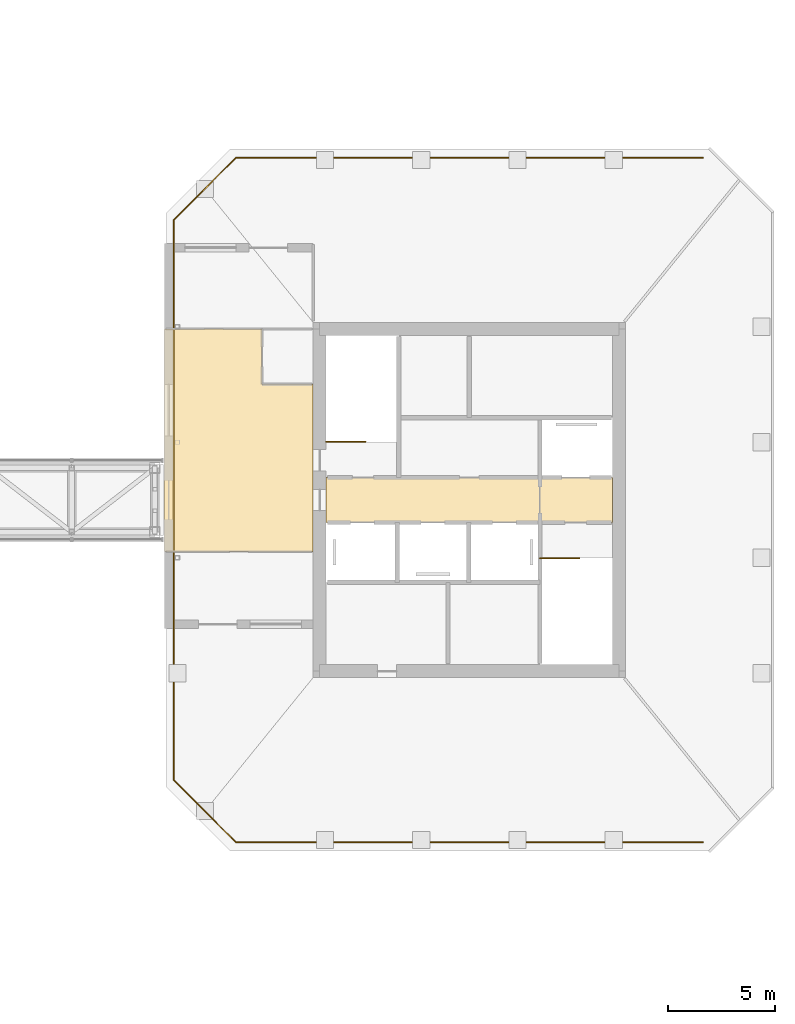
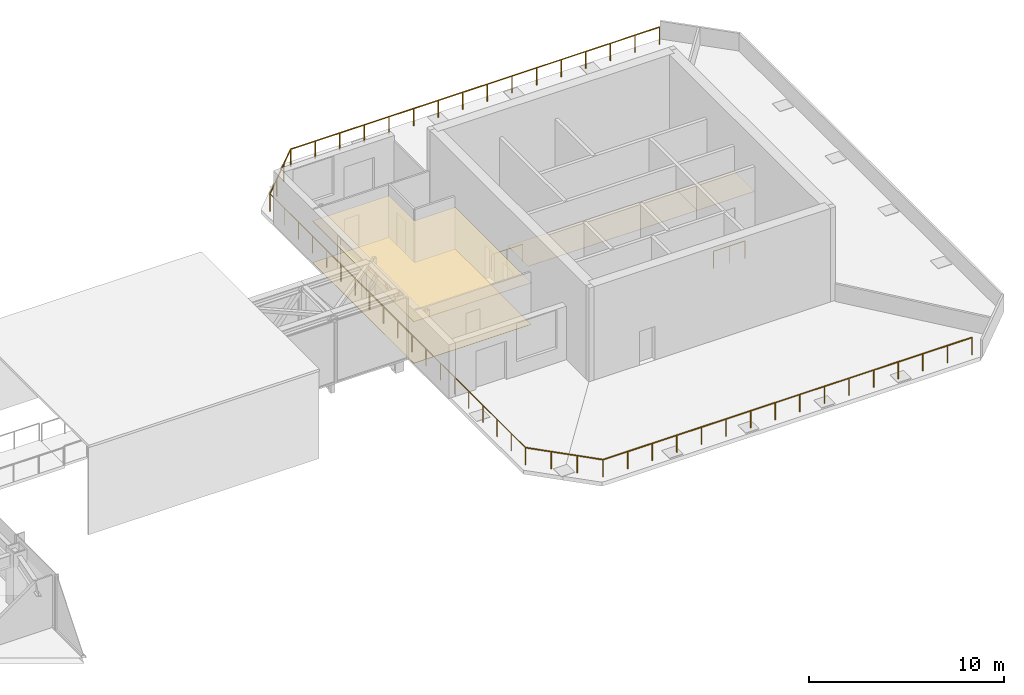
# One storey, part 23 of 23: 7 railings, 4 coverings.
"""IFC4 building model written with IfcOpenShell, lengths in metres."""

from ifc_helpers import new_model, si_unit, direction, frame, origin, origin_2d, place, context, subcontext, project, spatial, polyline, circle, outline, extrude, material, layer, layer_set, constituent, constituent_set, type_object, element, save


model = new_model("IFC4")

# Units and contexts
model_context = context("Model", 3, precision=1e-05, world=origin(), true_north=direction((0.0, 1.0)))
body_context = subcontext(model_context, "Body", "Model", "MODEL_VIEW")
ifc_project = project(units=[si_unit("LENGTHUNIT", "METRE"), si_unit("AREAUNIT", "SQUARE_METRE"), si_unit("VOLUMEUNIT", "CUBIC_METRE"), si_unit("PLANEANGLEUNIT", "RADIAN"), si_unit("MASSUNIT", "GRAM", prefix="KILO")], contexts=[model_context])

# Site, building, storey
site_placement = place(None, origin())
site = spatial("IfcSite", under=ifc_project, at=site_placement, CompositionType="ELEMENT")
building_placement = place(site_placement, origin())
building = spatial("IfcBuilding", under=site, at=building_placement, Name="Iwan Alto Co-Living Towers", CompositionType="ELEMENT")
storey_placement = place(building_placement, frame((0.0, 0.0, 129.5)))
storey = spatial("IfcBuildingStorey", under=building, at=storey_placement, Name="L35", CompositionType="ELEMENT", Elevation=129.5)

# Coverings
ifc_material_1 = material(Name="Mineral fibre acoustic tiles on steel grid", Category="steel")
ifc_layer_1 = layer(ifc_material_1, 0.02001953125)
ifc_layer_set_1 = layer_set([ifc_layer_1], Name="ACOUSTIC TILE CEILING 20")
covering_type_1 = type_object("IfcCoveringType", Name="ACOUSTIC TILE CEILING 20", PredefinedType="CEILING", material=ifc_layer_set_1)
covering_1_placement = place(storey_placement, frame((0.0, 0.0, 2.60009765625)))
element("IfcCovering", 1, at=covering_1_placement, inside=storey, type_object=covering_type_1, Name="Ceiling Lift lobby L35", PredefinedType="CEILING", context=body_context, shape_type="SweptSolid", body=[
    extrude(outline(polyline([(56.300048828125, -1.050048828125), (56.300048828125, 1.050048828125), (66.300048828125, 1.050048828125), (66.300048828125, -1.050048828125), (56.300048828125, -1.050048828125)])), origin(), (0.0, 0.0, 1.0), 0.02001953125),
])
covering_2_placement = place(storey_placement, frame((0.0, 0.0, 2.60009765625)))
element("IfcCovering", 2, at=covering_2_placement, inside=storey, type_object=covering_type_1, Name="Ceiling Firefighting lobby L35", PredefinedType="CEILING", context=body_context, shape_type="SweptSolid", body=[
    extrude(outline(polyline([(66.300048828125, -1.050048828125), (66.300048828125, 1.050048828125), (69.699951171875, 1.050048828125), (69.699951171875, -1.050048828125), (66.300048828125, -1.050048828125)])), origin(), (0.0, 0.0, 1.0), 0.02001953125),
])

# Railings
ifc_material_2 = material(Name="Aluminium 6063-T6 bronze anodised", Category="aluminium")
ifc_constituent_1 = constituent(ifc_material_2, Name="Rails and posts", Category="Framing")
ifc_material_3 = material(Name="Laminated toughened glass", Category="glass")
ifc_constituent_2 = constituent(ifc_material_3, Name="Infill", Category="Infill")
ifc_constituent_set_1 = constituent_set(constituents=[ifc_constituent_1, ifc_constituent_2], Name="GUARDRAIL 1100")
railing_type_1 = type_object("IfcRailingType", Name="GUARDRAIL 1100", PredefinedType="GUARDRAIL", material=ifc_constituent_set_1)
railing_1_placement = place(storey_placement, frame((52.087890625, -16.004150390625, 0.0)))
element("IfcRailing", 3, at=railing_1_placement, inside=storey, type_object=railing_type_1, Name="Guardrail L35", PredefinedType="GUARDRAIL", context=body_context, shape_type="SweptSolid", body=[
    extrude(circle(Radius=0.02392578125, at=origin_2d()), frame((0.0, 0.0, 1.076171875), z_axis=(1.0, 0.0, 0.0), x_axis=(0.0, 1.0, 0.0)), (0.0, 0.0, 1.0), 21.82421875),
    extrude(circle(Radius=0.02099609375, at=origin_2d()), origin(), (0.0, 0.0, 1.0), 1.052001953125),
    extrude(circle(Radius=0.02099609375, at=origin_2d()), frame((1.454833984375, 0.0, 0.0)), (0.0, 0.0, 1.0), 1.052001953125),
    extrude(circle(Radius=0.02099609375, at=origin_2d()), frame((2.909912109375, 0.0, 0.0)), (0.0, 0.0, 1.0), 1.052001953125),
    extrude(circle(Radius=0.02099609375, at=origin_2d()), frame((4.36474609375, 0.0, 0.0)), (0.0, 0.0, 1.0), 1.052001953125),
    extrude(circle(Radius=0.02099609375, at=origin_2d()), frame((5.81982421875, 0.0, 0.0)), (0.0, 0.0, 1.0), 1.052001953125),
    extrude(circle(Radius=0.02099609375, at=origin_2d()), frame((7.274658203125, 0.0, 0.0)), (0.0, 0.0, 1.0), 1.052001953125),
    extrude(circle(Radius=0.02099609375, at=origin_2d()), frame((8.729736328125, 0.0, 0.0)), (0.0, 0.0, 1.0), 1.052001953125),
    extrude(circle(Radius=0.02099609375, at=origin_2d()), frame((10.1845703125, 0.0, 0.0)), (0.0, 0.0, 1.0), 1.052001953125),
    extrude(circle(Radius=0.02099609375, at=origin_2d()), frame((11.6396484375, 0.0, 0.0)), (0.0, 0.0, 1.0), 1.052001953125),
    extrude(circle(Radius=0.02099609375, at=origin_2d()), frame((13.094482421875, 0.0, 0.0)), (0.0, 0.0, 1.0), 1.052001953125),
    extrude(circle(Radius=0.02099609375, at=origin_2d()), frame((14.549560546875, 0.0, 0.0)), (0.0, 0.0, 1.0), 1.052001953125),
    extrude(circle(Radius=0.02099609375, at=origin_2d()), frame((16.00439453125, 0.0, 0.0)), (0.0, 0.0, 1.0), 1.052001953125),
    extrude(circle(Radius=0.02099609375, at=origin_2d()), frame((17.45947265625, 0.0, 0.0)), (0.0, 0.0, 1.0), 1.052001953125),
    extrude(circle(Radius=0.02099609375, at=origin_2d()), frame((18.914306640625, 0.0, 0.0)), (0.0, 0.0, 1.0), 1.052001953125),
    extrude(circle(Radius=0.02099609375, at=origin_2d()), frame((20.369384765625, 0.0, 0.0)), (0.0, 0.0, 1.0), 1.052001953125),
    extrude(circle(Radius=0.02099609375, at=origin_2d()), frame((21.82421875, 0.0, 0.0)), (0.0, 0.0, 1.0), 1.052001953125),
])
railing_2_placement = place(storey_placement, frame((73.912109375, 16.004150390625, 0.0)))
element("IfcRailing", 4, at=railing_2_placement, inside=storey, type_object=railing_type_1, Name="Guardrail L35", PredefinedType="GUARDRAIL", context=body_context, shape_type="SweptSolid", body=[
    extrude(circle(Radius=0.02392578125, at=origin_2d()), frame((0.0, 0.0, 1.076171875), z_axis=(-1.0, 0.0, 0.0), x_axis=(0.0, -1.0, 0.0)), (0.0, 0.0, 1.0), 21.82421875),
    extrude(circle(Radius=0.02099609375, at=origin_2d()), origin(), (0.0, 0.0, 1.0), 1.052001953125),
    extrude(circle(Radius=0.02099609375, at=origin_2d()), frame((-1.454833984375, 0.0, 0.0)), (0.0, 0.0, 1.0), 1.052001953125),
    extrude(circle(Radius=0.02099609375, at=origin_2d()), frame((-2.909912109375, 0.0, 0.0)), (0.0, 0.0, 1.0), 1.052001953125),
    extrude(circle(Radius=0.02099609375, at=origin_2d()), frame((-4.36474609375, 0.0, 0.0)), (0.0, 0.0, 1.0), 1.052001953125),
    extrude(circle(Radius=0.02099609375, at=origin_2d()), frame((-5.81982421875, 0.0, 0.0)), (0.0, 0.0, 1.0), 1.052001953125),
    extrude(circle(Radius=0.02099609375, at=origin_2d()), frame((-7.274658203125, 0.0, 0.0)), (0.0, 0.0, 1.0), 1.052001953125),
    extrude(circle(Radius=0.02099609375, at=origin_2d()), frame((-8.729736328125, 0.0, 0.0)), (0.0, 0.0, 1.0), 1.052001953125),
    extrude(circle(Radius=0.02099609375, at=origin_2d()), frame((-10.1845703125, 0.0, 0.0)), (0.0, 0.0, 1.0), 1.052001953125),
    extrude(circle(Radius=0.02099609375, at=origin_2d()), frame((-11.6396484375, 0.0, 0.0)), (0.0, 0.0, 1.0), 1.052001953125),
    extrude(circle(Radius=0.02099609375, at=origin_2d()), frame((-13.094482421875, 0.0, 0.0)), (0.0, 0.0, 1.0), 1.052001953125),
    extrude(circle(Radius=0.02099609375, at=origin_2d()), frame((-14.549560546875, 0.0, 0.0)), (0.0, 0.0, 1.0), 1.052001953125),
    extrude(circle(Radius=0.02099609375, at=origin_2d()), frame((-16.00439453125, 0.0, 0.0)), (0.0, 0.0, 1.0), 1.052001953125),
    extrude(circle(Radius=0.02099609375, at=origin_2d()), frame((-17.45947265625, 0.0, 0.0)), (0.0, 0.0, 1.0), 1.052001953125),
    extrude(circle(Radius=0.02099609375, at=origin_2d()), frame((-18.914306640625, 0.0, 0.0)), (0.0, 0.0, 1.0), 1.052001953125),
    extrude(circle(Radius=0.02099609375, at=origin_2d()), frame((-20.369384765625, 0.0, 0.0)), (0.0, 0.0, 1.0), 1.052001953125),
    extrude(circle(Radius=0.02099609375, at=origin_2d()), frame((-21.82421875, 0.0, 0.0)), (0.0, 0.0, 1.0), 1.052001953125),
])
railing_3_placement = place(storey_placement, frame((52.087890625, 16.004150390625, 0.0)))
element("IfcRailing", 5, at=railing_3_placement, inside=storey, type_object=railing_type_1, Name="Guardrail L35", PredefinedType="GUARDRAIL", context=body_context, shape_type="SweptSolid", body=[
    extrude(circle(Radius=0.02392578125, at=origin_2d()), frame((0.0, 0.0, 1.076171875), z_axis=(-0.705354282466, -0.708854947226, 0.0), x_axis=(0.708854947226, -0.705354282466, 0.0)), (0.0, 0.0, 1.0), 4.11474609375),
    extrude(circle(Radius=0.02099609375, at=origin_2d()), origin(), (0.0, 0.0, 1.0), 1.052001953125),
    extrude(circle(Radius=0.02099609375, at=origin_2d()), frame((-0.967529296875, -0.97216796875, 0.0)), (0.0, 0.0, 1.0), 1.052001953125),
    extrude(circle(Radius=0.02099609375, at=origin_2d()), frame((-1.934814453125, -1.944580078125, 0.0)), (0.0, 0.0, 1.0), 1.052001953125),
    extrude(circle(Radius=0.02099609375, at=origin_2d()), frame((-2.90234375, -2.916748046875, 0.0)), (0.0, 0.0, 1.0), 1.052001953125),
])
railing_4_placement = place(storey_placement, frame((49.185546875, 13.08740234375, 0.0)))
element("IfcRailing", 6, at=railing_4_placement, inside=storey, type_object=railing_type_1, Name="Guardrail L35", PredefinedType="GUARDRAIL", context=body_context, shape_type="SweptSolid", body=[
    extrude(circle(Radius=0.02392578125, at=origin_2d()), frame((0.0, 0.0, 1.076171875), z_axis=(0.0, -1.0, 0.0), x_axis=(1.0, 0.0, 0.0)), (0.0, 0.0, 1.0), 26.1748046875),
    extrude(circle(Radius=0.02099609375, at=origin_2d()), origin(), (0.0, 0.0, 1.0), 1.052001953125),
    extrude(circle(Radius=0.02099609375, at=origin_2d()), frame((0.0, -1.4541015625, 0.0)), (0.0, 0.0, 1.0), 1.052001953125),
    extrude(circle(Radius=0.02099609375, at=origin_2d()), frame((0.0, -2.908203125, 0.0)), (0.0, 0.0, 1.0), 1.052001953125),
    extrude(circle(Radius=0.02099609375, at=origin_2d()), frame((0.0, -4.362548828125, 0.0)), (0.0, 0.0, 1.0), 1.052001953125),
    extrude(circle(Radius=0.02099609375, at=origin_2d()), frame((0.0, -5.816650390625, 0.0)), (0.0, 0.0, 1.0), 1.052001953125),
    extrude(circle(Radius=0.02099609375, at=origin_2d()), frame((0.0, -7.270751953125, 0.0)), (0.0, 0.0, 1.0), 1.052001953125),
    extrude(circle(Radius=0.02099609375, at=origin_2d()), frame((0.0, -8.724853515625, 0.0)), (0.0, 0.0, 1.0), 1.052001953125),
    extrude(circle(Radius=0.02099609375, at=origin_2d()), frame((0.0, -10.17919921875, 0.0)), (0.0, 0.0, 1.0), 1.052001953125),
    extrude(circle(Radius=0.02099609375, at=origin_2d()), frame((0.0, -11.63330078125, 0.0)), (0.0, 0.0, 1.0), 1.052001953125),
    extrude(circle(Radius=0.02099609375, at=origin_2d()), frame((0.0, -13.08740234375, 0.0)), (0.0, 0.0, 1.0), 1.052001953125),
    extrude(circle(Radius=0.02099609375, at=origin_2d()), frame((0.0, -14.54150390625, 0.0)), (0.0, 0.0, 1.0), 1.052001953125),
    extrude(circle(Radius=0.02099609375, at=origin_2d()), frame((0.0, -15.99560546875, 0.0)), (0.0, 0.0, 1.0), 1.052001953125),
    extrude(circle(Radius=0.02099609375, at=origin_2d()), frame((0.0, -17.449951171875, 0.0)), (0.0, 0.0, 1.0), 1.052001953125),
    extrude(circle(Radius=0.02099609375, at=origin_2d()), frame((0.0, -18.904052734375, 0.0)), (0.0, 0.0, 1.0), 1.052001953125),
    extrude(circle(Radius=0.02099609375, at=origin_2d()), frame((0.0, -20.358154296875, 0.0)), (0.0, 0.0, 1.0), 1.052001953125),
    extrude(circle(Radius=0.02099609375, at=origin_2d()), frame((0.0, -21.812255859375, 0.0)), (0.0, 0.0, 1.0), 1.052001953125),
    extrude(circle(Radius=0.02099609375, at=origin_2d()), frame((0.0, -23.2666015625, 0.0)), (0.0, 0.0, 1.0), 1.052001953125),
    extrude(circle(Radius=0.02099609375, at=origin_2d()), frame((0.0, -24.720703125, 0.0)), (0.0, 0.0, 1.0), 1.052001953125),
    extrude(circle(Radius=0.02099609375, at=origin_2d()), frame((0.0, -26.1748046875, 0.0)), (0.0, 0.0, 1.0), 1.052001953125),
])
railing_5_placement = place(storey_placement, frame((49.185546875, -13.08740234375, 0.0)))
element("IfcRailing", 7, at=railing_5_placement, inside=storey, type_object=railing_type_1, Name="Guardrail L35", PredefinedType="GUARDRAIL", context=body_context, shape_type="SweptSolid", body=[
    extrude(circle(Radius=0.02392578125, at=origin_2d()), frame((0.0, 0.0, 1.076171875), z_axis=(0.705354282466, -0.708854947226, 0.0), x_axis=(0.708854947226, 0.705354282466, 0.0)), (0.0, 0.0, 1.0), 4.11474609375),
    extrude(circle(Radius=0.02099609375, at=origin_2d()), origin(), (0.0, 0.0, 1.0), 1.052001953125),
    extrude(circle(Radius=0.02099609375, at=origin_2d()), frame((0.967529296875, -0.97216796875, 0.0)), (0.0, 0.0, 1.0), 1.052001953125),
    extrude(circle(Radius=0.02099609375, at=origin_2d()), frame((1.934814453125, -1.944580078125, 0.0)), (0.0, 0.0, 1.0), 1.052001953125),
    extrude(circle(Radius=0.02099609375, at=origin_2d()), frame((2.90234375, -2.916748046875, 0.0)), (0.0, 0.0, 1.0), 1.052001953125),
])
ifc_material_4 = material(Name="Steel ASTM A500 Gr C", Category="steel")
ifc_constituent_3 = constituent(ifc_material_4, Name="Rails and posts", Category="Framing")
ifc_material_5 = material(Name="Steel ASTM A36", Category="steel")
ifc_constituent_4 = constituent(ifc_material_5, Name="Bar infill", Category="Infill")
ifc_constituent_set_2 = constituent_set(constituents=[ifc_constituent_3, ifc_constituent_4], Name="STAIR GUARD 1100")
railing_type_2 = type_object("IfcRailingType", Name="STAIR GUARD 1100", PredefinedType="GUARDRAIL", material=ifc_constituent_set_2)
for number, where, name in (
    (8, (56.300048828125, 2.719970703125, 0.0), "Stair T2-S1 well guard L35"),
    (9, (66.300048828125, -2.719970703125, 0.0), "Stair T2-S2 well guard L35"),
):
    element("IfcRailing", number, at=place(storey_placement, frame(where)), inside=storey, type_object=railing_type_2, Name=name, PredefinedType="GUARDRAIL", context=body_context, shape_type="SweptSolid", body=[
        extrude(circle(Radius=0.02392578125, at=origin_2d()), frame((0.0, 0.0, 1.076171875), z_axis=(1.0, 0.0, 0.0), x_axis=(0.0, 1.0, 0.0)), (0.0, 0.0, 1.0), 1.849853515625),
        extrude(circle(Radius=0.02099609375, at=origin_2d()), origin(), (0.0, 0.0, 1.0), 1.052001953125),
        extrude(circle(Radius=0.02099609375, at=origin_2d()), frame((0.9248046875, 0.0, 0.0)), (0.0, 0.0, 1.0), 1.052001953125),
        extrude(circle(Radius=0.02099609375, at=origin_2d()), frame((1.849853515625, 0.0, 0.0)), (0.0, 0.0, 1.0), 1.052001953125),
    ])

# Coverings
ifc_material_6 = material(Name="Engineered oak boards")
ifc_layer_2 = layer(ifc_material_6, 0.02001953125)
ifc_layer_set_2 = layer_set([ifc_layer_2], Name="TIMBER FLOOR FINISH 20")
covering_type_2 = type_object("IfcCoveringType", Name="TIMBER FLOOR FINISH 20", PredefinedType="FLOORING", material=ifc_layer_set_2)
covering_3_placement = place(storey_placement, origin())
element("IfcCovering", 10, at=covering_3_placement, inside=storey, type_object=covering_type_2, Name="Floor finish Roof lounge L35", PredefinedType="FLOORING", context=body_context, shape_type="SweptSolid", body=[
    extrude(outline(polyline([(48.75, -2.39990234375), (48.75, 8.0), (53.300048828125, 8.0), (53.300048828125, 5.39990234375), (55.699951171875, 5.39990234375), (55.699951171875, -2.39990234375), (48.75, -2.39990234375)])), origin(), (0.0, 0.0, 1.0), 0.02001953125),
])
ifc_material_7 = material(Name="Walnut timber slats on acoustic backing", Category="wood")
ifc_layer_3 = layer(ifc_material_7, 0.02490234375)
ifc_layer_set_3 = layer_set([ifc_layer_3], Name="TIMBER SLAT CEILING 25")
covering_type_3 = type_object("IfcCoveringType", Name="TIMBER SLAT CEILING 25", PredefinedType="CEILING", material=ifc_layer_set_3)
covering_4_placement = place(storey_placement, frame((0.0, 0.0, 2.60009765625)))
element("IfcCovering", 11, at=covering_4_placement, inside=storey, type_object=covering_type_3, Name="Ceiling Roof lounge L35", PredefinedType="CEILING", context=body_context, shape_type="SweptSolid", body=[
    extrude(outline(polyline([(48.75, -2.39990234375), (48.75, 8.0), (53.300048828125, 8.0), (53.300048828125, 5.39990234375), (55.699951171875, 5.39990234375), (55.699951171875, -2.39990234375), (48.75, -2.39990234375)])), origin(), (0.0, 0.0, 1.0), 0.02490234375),
])

save(model, "model.ifc")
